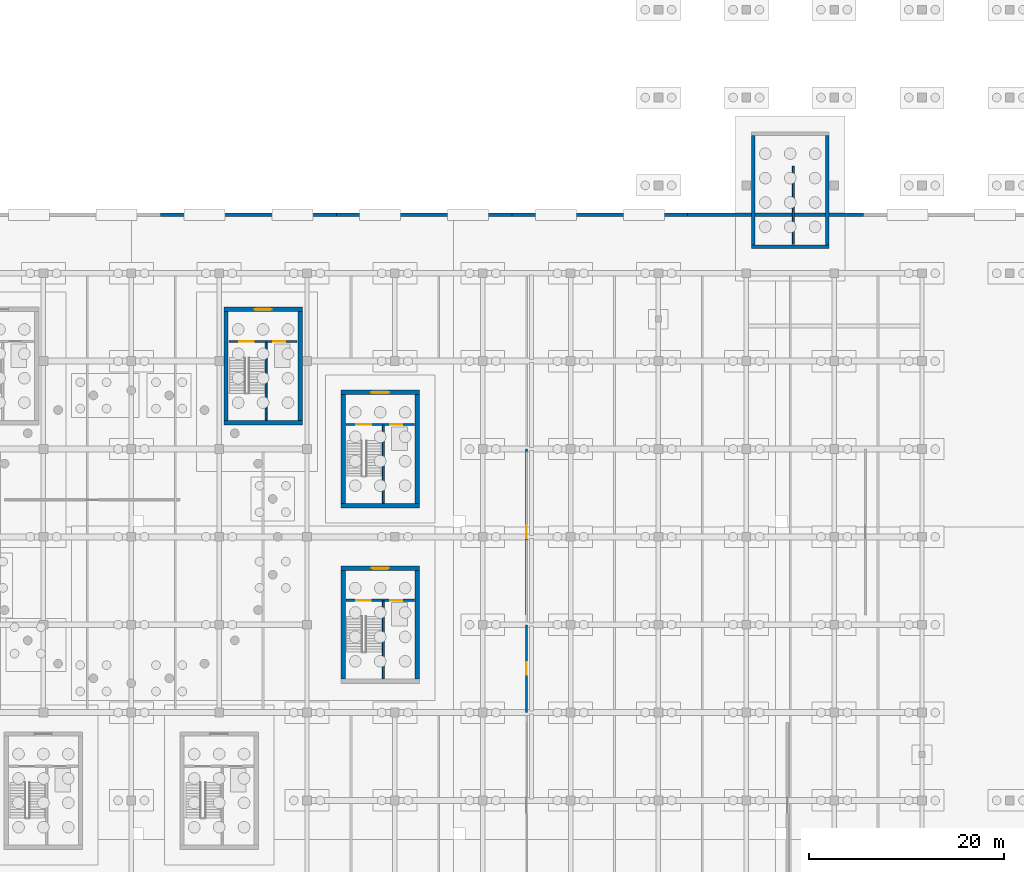
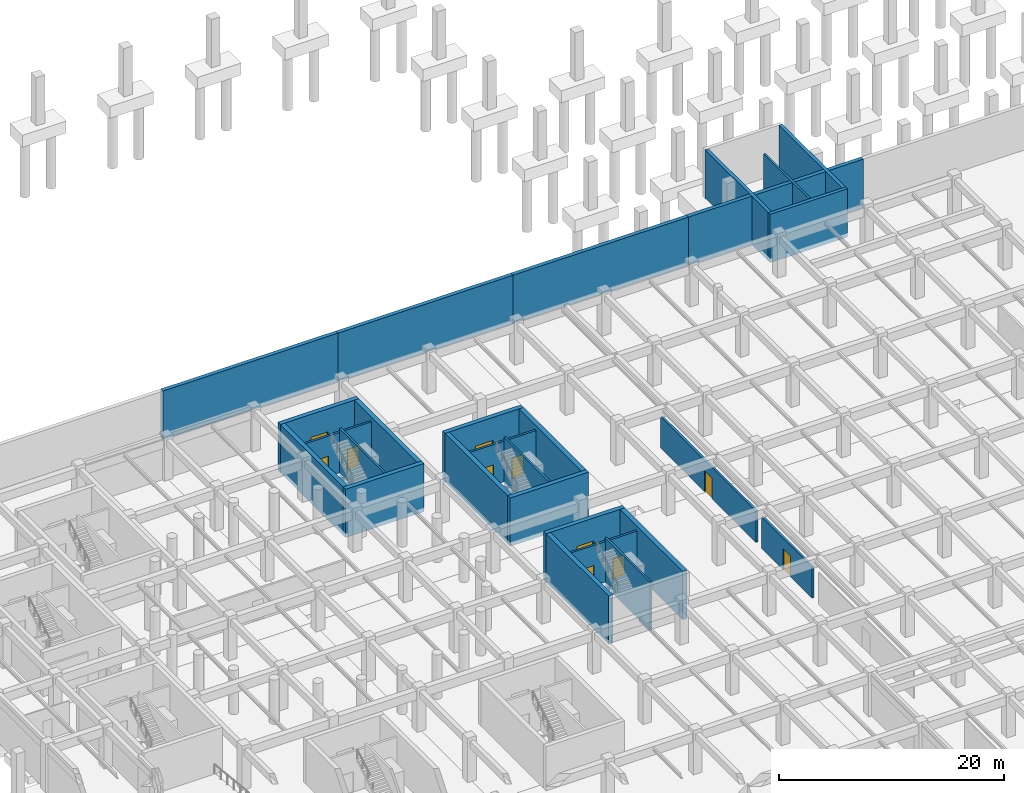
# One storey, part 20 of 27: 27 walls, 11 doors, 11 openings.
"""IFC4 building model written with IfcOpenShell, lengths in metres."""

import ifcopenshell
import ifcopenshell.guid

model = None  # the IFC model being written
_history = None  # IfcOwnerHistory: only IFC2X3 demands one
_inside = {}  # id of a spatial element -> (the spatial element, [elements in it])
_under = {}  # id of a project, library or spatial element -> (it, [spatial elements below it])
_declared = {}  # id of a project -> (the project, [libraries it declares])
_typed = {}  # id of a type object -> (the type object, [elements of that type])
_made_of = {}  # id of a material, layer set ... -> (it, [elements and type objects made of it])


def new_model(schema):
    """Start an empty IFC model of exactly this schema.

    Asked for "IFC4X3", IfcOpenShell would pick the latest addendum, in which some entities
    have other attributes; the version numbers below select the first issue.
    IFC2X3 requires an IfcOwnerHistory on every rooted entity: one is made here for all.
    """
    global model, _history
    if schema == "IFC4X3":
        model = ifcopenshell.file(schema_version=(4, 3, 0, 0))
    else:
        model = ifcopenshell.file(schema=schema)
    _inside.clear()
    _under.clear()
    _declared.clear()
    _typed.clear()
    _made_of.clear()
    _history = None
    if model.schema == "IFC2X3":
        org = make("IfcOrganization", Name="unknown")
        user = make(
            "IfcPersonAndOrganization",
            ThePerson=make("IfcPerson", FamilyName="unknown"),
            TheOrganization=org,
        )
        app = make(
            "IfcApplication",
            ApplicationDeveloper=org,
            Version="unknown",
            ApplicationFullName="unknown",
            ApplicationIdentifier="unknown",
        )
        _history = make(
            "IfcOwnerHistory",
            OwningUser=user,
            OwningApplication=app,
            ChangeAction="ADDED",
            CreationDate=0,
        )
    return model


def make(cls, **values):
    """One entity of the class cls with the attributes given. An attribute that is None is left unset."""
    return model.create_entity(
        cls, **{name: value for name, value in values.items() if value is not None}
    )


def rooted(cls, **values):
    """An entity with a GlobalId (a new one), such as an element, a storey or a relation."""
    return make(cls, GlobalId=ifcopenshell.guid.new(), OwnerHistory=_history, **values)


def si_unit(unit_type, name, prefix=None):
    """IfcSIUnit, for example si_unit("LENGTHUNIT", "METRE", prefix="MILLI")."""
    return make("IfcSIUnit", UnitType=unit_type, Prefix=prefix, Name=name)


def assignment(units):
    """IfcUnitAssignment: the units of a project."""
    return None if units is None else make("IfcUnitAssignment", Units=units)


def point(xyz):
    """IfcCartesianPoint."""
    return None if xyz is None else make("IfcCartesianPoint", Coordinates=xyz)


def direction(xyz):
    """IfcDirection."""
    return None if xyz is None else make("IfcDirection", DirectionRatios=xyz)


def frame(location, z_axis=None, x_axis=None):
    """IfcAxis2Placement3D, a coordinate frame: its origin and axes. An axis left out is left unset."""
    return make(
        "IfcAxis2Placement3D",
        Location=point(location),
        Axis=direction(z_axis),
        RefDirection=direction(x_axis),
    )


def frame_2d(location, x_axis=None):
    """IfcAxis2Placement2D, a coordinate frame in the plane: its origin and x axis."""
    return make(
        "IfcAxis2Placement2D", Location=point(location), RefDirection=direction(x_axis)
    )


def origin():
    """The frame at (0, 0, 0) with its axes left unset."""
    return frame((0.0, 0.0, 0.0))


def place(relative_to, where):
    """IfcLocalPlacement: puts the frame where relative to a parent placement (None: the world)."""
    return make(
        "IfcLocalPlacement", PlacementRelTo=relative_to, RelativePlacement=where
    )


def context(
    kind, dimensions, precision=None, world=None, true_north=None, identifier=None
):
    """IfcGeometricRepresentationContext, for example the 3D "Model" context."""
    return make(
        "IfcGeometricRepresentationContext",
        ContextIdentifier=identifier,
        ContextType=kind,
        CoordinateSpaceDimension=dimensions,
        Precision=precision,
        WorldCoordinateSystem=world,
        TrueNorth=true_north,
    )


def subcontext(parent, identifier, kind, view, scale=None):
    """IfcGeometricRepresentationSubContext, for example "Body" below "Model"."""
    return make(
        "IfcGeometricRepresentationSubContext",
        ContextIdentifier=identifier,
        ContextType=kind,
        ParentContext=parent,
        TargetScale=scale,
        TargetView=view,
    )


def project(units=None, contexts=None):
    """IfcProject with its units and contexts."""
    return rooted(
        "IfcProject",
        Name="project",
        RepresentationContexts=contexts,
        UnitsInContext=assignment(units),
    )


def spatial(cls, under=None, at=None, **own):
    """A site, building, storey or space (cls), placed at a placement, below another one or the project."""
    s = rooted(cls, ObjectPlacement=at, **own)
    if under is not None:
        _under.setdefault(under.id(), (under, []))[1].append(s)
    return s


def profile(cls, at=None, kind="AREA", **sizes):
    """A parametric profile (cls). Its sizes go by their IFC names, for example OverallWidth=200.0."""
    return make(cls, ProfileType=kind, Position=at, **sizes)


def rectangle(**sizes):
    """IfcRectangleProfileDef."""
    return profile("IfcRectangleProfileDef", **sizes)


def extrude(swept, where, along, depth):
    """IfcExtrudedAreaSolid: the profile swept, set in the frame where, extruded along a direction by depth."""
    return make(
        "IfcExtrudedAreaSolid",
        SweptArea=swept,
        Position=where,
        ExtrudedDirection=direction(along),
        Depth=depth,
    )


def shape(context_of_items, identifier, shape_type, items):
    """IfcShapeRepresentation: the items that make up one representation, for example the "Body"."""
    return make(
        "IfcShapeRepresentation",
        ContextOfItems=context_of_items,
        RepresentationIdentifier=identifier,
        RepresentationType=shape_type,
        Items=items,
    )


def material(Name=None, Category=None):
    """IfcMaterial."""
    return make("IfcMaterial", Name=Name, Category=Category)


def layer(
    of_material, thickness, ventilated=None, Name=None, Category=None, Priority=None
):
    """IfcMaterialLayer: one layer of a wall or slab, of a material (None: an air gap)."""
    return make(
        "IfcMaterialLayer",
        Material=of_material,
        LayerThickness=thickness,
        IsVentilated=ventilated,
        Name=Name,
        Category=Category,
        Priority=Priority,
    )


def layer_set(layers, Name=None):
    """IfcMaterialLayerSet."""
    return make("IfcMaterialLayerSet", MaterialLayers=layers, LayerSetName=Name)


def made_of(thing, what):
    """Note that an element or type object is made of a material, layer set ...; save() writes the relation."""
    if what is not None:
        _made_of.setdefault(what.id(), (what, []))[1].append(thing)
    return thing


def type_object(cls, material=None, **own):
    """A type object (cls), such as IfcWallType, which elements share."""
    return made_of(rooted(cls, **own), material)


def element(
    cls,
    number,
    at=None,
    inside=None,
    cuts=None,
    type_object=None,
    material=None,
    context=None,
    identifier="Body",
    shape_type=None,
    held_by="IfcProductDefinitionShape",
    body=None,
    shapes=None,
    **own,
):
    """One element of the class cls, such as IfcWall. Its Tag is "e" and its number.

    at: its placement. inside: the storey or other place that contains it. cuts: it is an
    opening in that element (IfcRelVoidsElement). A single representation is given by context,
    identifier, shape_type and body (its items); several are given by shapes. held_by: the class
    of the entity that holds the representations. save() writes the other relations.
    """
    e = rooted(cls, Tag="e%d" % number, ObjectPlacement=at, **own)
    if body is not None:
        shapes = [shape(context, identifier, shape_type, body)]
    if shapes is not None:
        e.Representation = make(held_by, Representations=shapes)
    if inside is not None:
        _inside.setdefault(inside.id(), (inside, []))[1].append(e)
    if cuts is not None:
        rooted(
            "IfcRelVoidsElement", RelatingBuildingElement=cuts, RelatedOpeningElement=e
        )
    if type_object is not None:
        _typed.setdefault(type_object.id(), (type_object, []))[1].append(e)
    return made_of(e, material)


def fill(opening, filler):
    """IfcRelFillsElement: the door or window that sits in an opening."""
    return rooted(
        "IfcRelFillsElement",
        RelatingOpeningElement=opening,
        RelatedBuildingElement=filler,
    )


def aggregate(whole, parts):
    """IfcRelAggregates: a whole, such as a stair, and the parts it consists of."""
    return rooted("IfcRelAggregates", RelatingObject=whole, RelatedObjects=parts)


def save(model, path):
    """Write the relations noted so far, then the file.

    IfcRelAggregates (storeys below a building ...), IfcRelContainedInSpatialStructure (elements
    in a storey), IfcRelDefinesByType, IfcRelAssociatesMaterial and IfcRelDeclares: one each for
    every whole, place, type object, material and project.
    """
    for whole, parts in _under.values():
        aggregate(whole, parts)
    for where, things in _inside.values():
        rooted(
            "IfcRelContainedInSpatialStructure",
            RelatedElements=things,
            RelatingStructure=where,
        )
    for kind, things in _typed.values():
        rooted("IfcRelDefinesByType", RelatedObjects=things, RelatingType=kind)
    for what, things in _made_of.values():
        rooted("IfcRelAssociatesMaterial", RelatedObjects=things, RelatingMaterial=what)
    for by, libraries in _declared.values():
        rooted("IfcRelDeclares", RelatingContext=by, RelatedDefinitions=libraries)
    model.write(path)


model = new_model("IFC4")

# Units and contexts
model_context = context("Model", 3, precision=1e-05, world=origin(), true_north=direction((0.0, 1.0)))
body_context = subcontext(model_context, "Body", "Model", "MODEL_VIEW")
ifc_project = project(units=[si_unit("LENGTHUNIT", "METRE"), si_unit("AREAUNIT", "SQUARE_METRE"), si_unit("VOLUMEUNIT", "CUBIC_METRE"), si_unit("PLANEANGLEUNIT", "RADIAN"), si_unit("MASSUNIT", "GRAM", prefix="KILO")], contexts=[model_context])

# Site, building, storey
site_placement = place(None, origin())
site = spatial("IfcSite", under=ifc_project, at=site_placement, CompositionType="ELEMENT")
building_placement = place(site_placement, origin())
building = spatial("IfcBuilding", under=site, at=building_placement, Name="Dornveld Trade and Exhibition Forum", CompositionType="ELEMENT")
storey_placement = place(building_placement, frame((0.0, 0.0, -4.800048828125)))
storey = spatial("IfcBuildingStorey", under=building, at=storey_placement, Name="B1", CompositionType="ELEMENT", Elevation=-4.800048828125)

# Walls
ifc_material_1 = material(Name="Concrete C40/50", Category="concrete")
ifc_layer_1 = layer(ifc_material_1, 0.35009765625)
ifc_layer_set_1 = layer_set([ifc_layer_1], Name="Concrete C40/50")
wall_type_1 = type_object("IfcWallType", Name="WL-CORE-350", PredefinedType="SHEAR", material=ifc_layer_set_1)
wall_1_placement = place(storey_placement, frame((180.52490234375, 110.699951171875, -0.449951171875), z_axis=(0.0, 0.0, 1.0), x_axis=(1.0, 0.0, 0.0)))
element("IfcWall", 1, at=wall_1_placement, inside=storey, type_object=wall_type_1, Name="CORE-12 B1 shear wall S", PredefinedType="SHEAR", context=body_context, shape_type="SweptSolid", body=[
    extrude(rectangle(XDim=7.9501953125, YDim=0.35009765625, at=frame_2d((3.97509765625, 0.0))), origin(), (0.0, 0.0, 1.0), 5.25),
])
for number, where, z_axis, x_axis, name in (
    (2, (180.699951171875, 110.875, -0.449951171875), (0.0, 0.0, 1.0), (0.0, 1.0, 0.0), "CORE-12 B1 shear wall W"),
    (3, (188.300048828125, 110.875, -0.449951171875), (0.0, 0.0, 1.0), (0.0, 1.0, 0.0), "CORE-12 B1 shear wall E"),
):
    element("IfcWall", number, at=place(storey_placement, frame(where, z_axis=z_axis, x_axis=x_axis)), inside=storey, type_object=wall_type_1, Name=name, PredefinedType="SHEAR", context=body_context, shape_type="SweptSolid", body=[
        extrude(rectangle(XDim=11.25, YDim=0.35009765625, at=frame_2d((5.625, 0.0))), origin(), (0.0, 0.0, 1.0), 5.25),
    ])
ifc_material_2 = material(Name="Concrete C40/50", Category="concrete")
ifc_layer_2 = layer(ifc_material_2, 0.449951171875)
ifc_layer_set_2 = layer_set([ifc_layer_2], Name="Concrete C40/50")
wall_type_2 = type_object("IfcWallType", Name="WL-CORE-450", PredefinedType="SHEAR", material=ifc_layer_set_2)
wall_2_placement = place(storey_placement, frame((138.47509765625, 84.199951171875, -0.449951171875), z_axis=(0.0, 0.0, 1.0), x_axis=(1.0, 0.0, 0.0)))
element("IfcWall", 4, at=wall_2_placement, inside=storey, type_object=wall_type_2, Name="CORE-01 B1 shear wall S", PredefinedType="SHEAR", context=body_context, shape_type="SweptSolid", body=[
    extrude(rectangle(XDim=8.0498046875, YDim=0.449951171875, at=frame_2d((4.02490234375, 0.0))), origin(), (0.0, 0.0, 1.0), 5.25),
])

# Wall, opening, door
wall_3_placement = place(storey_placement, frame((138.47509765625, 95.800048828125, -0.449951171875), z_axis=(0.0, 0.0, 1.0), x_axis=(1.0, 0.0, 0.0)))
wall_3 = element("IfcWall", 5, at=wall_3_placement, inside=storey, type_object=wall_type_2, Name="CORE-01 B1 shear wall N", PredefinedType="SHEAR", context=body_context, shape_type="SweptSolid", body=[
    extrude(rectangle(XDim=8.0498046875, YDim=0.449951171875, at=frame_2d((4.02490234375, 0.0))), origin(), (0.0, 0.0, 1.0), 5.25),
])
opening_1_placement = place(wall_3_placement, frame((3.125, 0.0, 0.449951171875)))
opening_1 = element("IfcOpeningElement", 6, at=opening_1_placement, cuts=wall_3, Name="Opening CD-01-B1", PredefinedType="OPENING", context=body_context, shape_type="SweptSolid", body=[
    extrude(rectangle(XDim=1.800048828125, YDim=2.300048828125, at=frame_2d((0.89990234375, 1.14990234375))), frame((0.0, 0.23486328125, 0.0), z_axis=(0.0, -1.0, 0.0), x_axis=(1.0, 0.0, 0.0)), (0.0, 0.0, 1.0), 0.469970703125),
])
ifc_material_3 = material(Name="Steel fire-rated double door assembly", Category="steel")
door_type_1 = type_object("IfcDoorType", Name="DR-CORE-180x230", OperationType="NOTDEFINED", PredefinedType="DOOR", material=ifc_material_3)
door_1_placement = place(opening_1_placement, origin())
door_1 = element("IfcDoor", 7, at=door_1_placement, inside=storey, type_object=door_type_1, Name="CORE-01 B1 core lobby double fire door", OperationType="DOUBLE_DOOR_SINGLE_SWING", OverallHeight=2.300048828125, OverallWidth=1.800048828125, PredefinedType="DOOR", context=body_context, shape_type="SweptSolid", body=[
    extrude(rectangle(XDim=1.800048828125, YDim=2.300048828125, at=frame_2d((0.89990234375, 1.14990234375))), frame((0.0, 0.02490234375, 0.0), z_axis=(0.0, -1.0, 0.0), x_axis=(1.0, 0.0, 0.0)), (0.0, 0.0, 1.0), 0.050048828125),
])
fill(opening_1, door_1)

# Walls
for number, where, z_axis, x_axis, name in (
    (8, (138.699951171875, 84.425048828125, -0.449951171875), (0.0, 0.0, 1.0), (0.0, 1.0, 0.0), "CORE-01 B1 shear wall W"),
    (9, (146.300048828125, 84.425048828125, -0.449951171875), (0.0, 0.0, 1.0), (0.0, 1.0, 0.0), "CORE-01 B1 shear wall E"),
):
    element("IfcWall", number, at=place(storey_placement, frame(where, z_axis=z_axis, x_axis=x_axis)), inside=storey, type_object=wall_type_2, Name=name, PredefinedType="SHEAR", context=body_context, shape_type="SweptSolid", body=[
        extrude(rectangle(XDim=11.14990234375, YDim=0.449951171875, at=frame_2d((5.574951171875, 0.0))), origin(), (0.0, 0.0, 1.0), 5.25),
    ])
wall_4_placement = place(storey_placement, frame((126.47509765625, 92.699951171875, -0.449951171875), z_axis=(0.0, 0.0, 1.0), x_axis=(1.0, 0.0, 0.0)))
element("IfcWall", 10, at=wall_4_placement, inside=storey, type_object=wall_type_2, Name="CORE-02 B1 shear wall S", PredefinedType="SHEAR", context=body_context, shape_type="SweptSolid", body=[
    extrude(rectangle(XDim=8.0498046875, YDim=0.449951171875, at=frame_2d((4.02490234375, 0.0))), origin(), (0.0, 0.0, 1.0), 5.25),
])

# Wall, opening, door
wall_5_placement = place(storey_placement, frame((126.47509765625, 104.300048828125, -0.449951171875), z_axis=(0.0, 0.0, 1.0), x_axis=(1.0, 0.0, 0.0)))
wall_5 = element("IfcWall", 11, at=wall_5_placement, inside=storey, type_object=wall_type_2, Name="CORE-02 B1 shear wall N", PredefinedType="SHEAR", context=body_context, shape_type="SweptSolid", body=[
    extrude(rectangle(XDim=8.0498046875, YDim=0.449951171875, at=frame_2d((4.02490234375, 0.0))), origin(), (0.0, 0.0, 1.0), 5.25),
])
opening_2_placement = place(wall_5_placement, frame((3.14990234375, 0.0, 0.449951171875)))
opening_2 = element("IfcOpeningElement", 12, at=opening_2_placement, cuts=wall_5, Name="Opening CD-02-B1", PredefinedType="OPENING", context=body_context, shape_type="SweptSolid", body=[
    extrude(rectangle(XDim=1.75, YDim=2.300048828125, at=frame_2d((0.875, 1.14990234375))), frame((0.0, 0.23486328125, 0.0), z_axis=(0.0, -1.0, 0.0), x_axis=(1.0, 0.0, 0.0)), (0.0, 0.0, 1.0), 0.469970703125),
])
ifc_material_4 = material(Name="Steel fire-rated double door assembly", Category="steel")
door_type_2 = type_object("IfcDoorType", Name="DR-CORE-175x230", OperationType="NOTDEFINED", PredefinedType="DOOR", material=ifc_material_4)
door_2_placement = place(opening_2_placement, origin())
door_2 = element("IfcDoor", 13, at=door_2_placement, inside=storey, type_object=door_type_2, Name="CORE-02 B1 core lobby double fire door", OperationType="DOUBLE_DOOR_SINGLE_SWING", OverallHeight=2.300048828125, OverallWidth=1.75, PredefinedType="DOOR", context=body_context, shape_type="SweptSolid", body=[
    extrude(rectangle(XDim=1.75, YDim=2.300048828125, at=frame_2d((0.875, 1.14990234375))), frame((0.0, 0.02490234375, 0.0), z_axis=(0.0, -1.0, 0.0), x_axis=(1.0, 0.0, 0.0)), (0.0, 0.0, 1.0), 0.050048828125),
])
fill(opening_2, door_2)

# Walls
for number, where, z_axis, x_axis, name in (
    (14, (126.699951171875, 92.925048828125, -0.449951171875), (0.0, 0.0, 1.0), (0.0, 1.0, 0.0), "CORE-02 B1 shear wall W"),
    (15, (134.300048828125, 92.925048828125, -0.449951171875), (0.0, 0.0, 1.0), (0.0, 1.0, 0.0), "CORE-02 B1 shear wall E"),
):
    element("IfcWall", number, at=place(storey_placement, frame(where, z_axis=z_axis, x_axis=x_axis)), inside=storey, type_object=wall_type_2, Name=name, PredefinedType="SHEAR", context=body_context, shape_type="SweptSolid", body=[
        extrude(rectangle(XDim=11.14990234375, YDim=0.449951171875, at=frame_2d((5.574951171875, 0.0))), origin(), (0.0, 0.0, 1.0), 5.25),
    ])

# Wall, opening, door
wall_6_placement = place(storey_placement, frame((138.47509765625, 77.800048828125, -0.449951171875), z_axis=(0.0, 0.0, 1.0), x_axis=(1.0, 0.0, 0.0)))
wall_6 = element("IfcWall", 16, at=wall_6_placement, inside=storey, type_object=wall_type_2, Name="CORE-08 B1 shear wall N", PredefinedType="SHEAR", context=body_context, shape_type="SweptSolid", body=[
    extrude(rectangle(XDim=8.0498046875, YDim=0.449951171875, at=frame_2d((4.02490234375, 0.0))), origin(), (0.0, 0.0, 1.0), 5.25),
])
opening_3_placement = place(wall_6_placement, frame((3.14990234375, 0.0, 0.449951171875)))
opening_3 = element("IfcOpeningElement", 17, at=opening_3_placement, cuts=wall_6, Name="Opening CD-08-B1", PredefinedType="OPENING", context=body_context, shape_type="SweptSolid", body=[
    extrude(rectangle(XDim=1.75, YDim=2.300048828125, at=frame_2d((0.875, 1.14990234375))), frame((0.0, 0.23486328125, 0.0), z_axis=(0.0, -1.0, 0.0), x_axis=(1.0, 0.0, 0.0)), (0.0, 0.0, 1.0), 0.469970703125),
])
door_3_placement = place(opening_3_placement, origin())
door_3 = element("IfcDoor", 18, at=door_3_placement, inside=storey, type_object=door_type_2, Name="CORE-08 B1 core lobby double fire door", OperationType="DOUBLE_DOOR_SINGLE_SWING", OverallHeight=2.300048828125, OverallWidth=1.75, PredefinedType="DOOR", context=body_context, shape_type="SweptSolid", body=[
    extrude(rectangle(XDim=1.75, YDim=2.300048828125, at=frame_2d((0.875, 1.14990234375))), frame((0.0, 0.02490234375, 0.0), z_axis=(0.0, -1.0, 0.0), x_axis=(1.0, 0.0, 0.0)), (0.0, 0.0, 1.0), 0.050048828125),
])
fill(opening_3, door_3)

# Walls
for number, where, z_axis, x_axis, name in (
    (19, (138.699951171875, 66.425048828125, -0.449951171875), (0.0, 0.0, 1.0), (0.0, 1.0, 0.0), "CORE-08 B1 shear wall W"),
    (20, (146.300048828125, 66.425048828125, -0.449951171875), (0.0, 0.0, 1.0), (0.0, 1.0, 0.0), "CORE-08 B1 shear wall E"),
):
    element("IfcWall", number, at=place(storey_placement, frame(where, z_axis=z_axis, x_axis=x_axis)), inside=storey, type_object=wall_type_2, Name=name, PredefinedType="SHEAR", context=body_context, shape_type="SweptSolid", body=[
        extrude(rectangle(XDim=11.14990234375, YDim=0.449951171875, at=frame_2d((5.574951171875, 0.0))), origin(), (0.0, 0.0, 1.0), 5.25),
    ])

# Wall, opening, door
ifc_material_5 = material(Name="Acoustic twin-stud gypsum and mineral wool", Category="gypsum")
ifc_layer_3 = layer(ifc_material_5, 0.215087890625)
ifc_layer_set_3 = layer_set([ifc_layer_3], Name="Acoustic twin-stud gypsum and mineral wool")
wall_type_3 = type_object("IfcWallType", Name="WL-INT-AC215", PredefinedType="PARTITIONING", material=ifc_layer_set_3)
wall_7_placement = place(storey_placement, frame((157.5, 73.02001953125, 0.0), z_axis=(0.0, 0.0, 1.0), x_axis=(0.0, 1.0, 0.0)))
wall_7 = element("IfcWall", 21, at=wall_7_placement, inside=storey, type_object=wall_type_3, Name="B1 interior partition 13", PredefinedType="PARTITIONING", context=body_context, shape_type="SweptSolid", body=[
    extrude(rectangle(XDim=16.9599609375, YDim=0.215087890625, at=frame_2d((8.47998046875, 0.0))), origin(), (0.0, 0.0, 1.0), 3.420166015625),
])
opening_4_placement = place(wall_7_placement, frame((7.830078125, 0.0, 0.0)))
opening_4 = element("IfcOpeningElement", 22, at=opening_4_placement, cuts=wall_7, Name="Opening PD-03-003", PredefinedType="OPENING", context=body_context, shape_type="SweptSolid", body=[
    extrude(rectangle(XDim=1.300048828125, YDim=2.25, at=frame_2d((0.64990234375, 1.125))), frame((0.0, 0.117431640625, 0.0), z_axis=(0.0, -1.0, 0.0), x_axis=(1.0, 0.0, 0.0)), (0.0, 0.0, 1.0), 0.235107421875),
])
ifc_material_6 = material(Name="Galvanised steel store fire door", Category="steel")
door_type_3 = type_object("IfcDoorType", Name="DR-PLT-130x225", OperationType="NOTDEFINED", PredefinedType="DOOR", material=ifc_material_6)
door_4_placement = place(opening_4_placement, origin())
door_4 = element("IfcDoor", 23, at=door_4_placement, inside=storey, type_object=door_type_3, Name="B1 interior room door 3", OperationType="SINGLE_SWING_LEFT", OverallHeight=2.25, OverallWidth=1.300048828125, PredefinedType="DOOR", context=body_context, shape_type="SweptSolid", body=[
    extrude(rectangle(XDim=1.300048828125, YDim=2.25, at=frame_2d((0.64990234375, 1.125))), frame((0.0, 0.02490234375, 0.0), z_axis=(0.0, -1.0, 0.0), x_axis=(1.0, 0.0, 0.0)), (0.0, 0.0, 1.0), 0.050048828125),
])
fill(opening_4, door_4)

wall_8_placement = place(storey_placement, frame((157.5, 63.02001953125, 0.0), z_axis=(0.0, 0.0, 1.0), x_axis=(0.0, 1.0, 0.0)))
wall_8 = element("IfcWall", 24, at=wall_8_placement, inside=storey, type_object=wall_type_3, Name="B1 interior partition 88", PredefinedType="PARTITIONING", context=body_context, shape_type="SweptSolid", body=[
    extrude(rectangle(XDim=8.9599609375, YDim=0.215087890625, at=frame_2d((4.47998046875, 0.0))), origin(), (0.0, 0.0, 1.0), 3.420166015625),
])
opening_5_placement = place(wall_8_placement, frame((3.830078125, 0.0, 0.0)))
opening_5 = element("IfcOpeningElement", 25, at=opening_5_placement, cuts=wall_8, Name="Opening PD-03-057", PredefinedType="OPENING", context=body_context, shape_type="SweptSolid", body=[
    extrude(rectangle(XDim=1.300048828125, YDim=2.25, at=frame_2d((0.64990234375, 1.125))), frame((0.0, 0.117431640625, 0.0), z_axis=(0.0, -1.0, 0.0), x_axis=(1.0, 0.0, 0.0)), (0.0, 0.0, 1.0), 0.235107421875),
])
door_5_placement = place(opening_5_placement, origin())
door_5 = element("IfcDoor", 26, at=door_5_placement, inside=storey, type_object=door_type_3, Name="B1 interior room door 57", OperationType="SINGLE_SWING_LEFT", OverallHeight=2.25, OverallWidth=1.300048828125, PredefinedType="DOOR", context=body_context, shape_type="SweptSolid", body=[
    extrude(rectangle(XDim=1.300048828125, YDim=2.25, at=frame_2d((0.64990234375, 1.125))), frame((0.0, 0.02490234375, 0.0), z_axis=(0.0, -1.0, 0.0), x_axis=(1.0, 0.0, 0.0)), (0.0, 0.0, 1.0), 0.050048828125),
])
fill(opening_5, door_5)

# Wall, openings, doors
ifc_material_7 = material(Name="Concrete C40/50", Category="concrete")
ifc_layer_4 = layer(ifc_material_7, 0.219970703125)
ifc_layer_set_4 = layer_set([ifc_layer_4], Name="Concrete C40/50")
wall_type_4 = type_object("IfcWallType", Name="WL-INT-LOB220", PredefinedType="SOLIDWALL", material=ifc_layer_set_4)
wall_9_placement = place(storey_placement, frame((139.0, 92.5, 0.0), z_axis=(0.0, 0.0, 1.0), x_axis=(1.0, 0.0, 0.0)))
wall_9 = element("IfcWall", 27, at=wall_9_placement, inside=storey, type_object=wall_type_4, Name="CORE-01 B1 protected lobby bulkhead wall", PredefinedType="SOLIDWALL", context=body_context, shape_type="SweptSolid", body=[
    extrude(rectangle(XDim=7.0, YDim=0.219970703125, at=frame_2d((3.5, 0.0))), origin(), (0.0, 0.0, 1.0), 4.400146484375),
])
opening_6_placement = place(wall_9_placement, frame((1.050048828125, 0.0, 0.0)))
opening_6 = element("IfcOpeningElement", 28, at=opening_6_placement, cuts=wall_9, Name="Opening SD-01-B1", PredefinedType="OPENING", context=body_context, shape_type="SweptSolid", body=[
    extrude(rectangle(XDim=1.550048828125, YDim=2.199951171875, at=frame_2d((0.77490234375, 1.10009765625))), frame((0.0, 0.119873046875, 0.0), z_axis=(0.0, -1.0, 0.0), x_axis=(1.0, 0.0, 0.0)), (0.0, 0.0, 1.0), 0.239990234375),
])
opening_7_placement = place(wall_9_placement, frame((4.550048828125, 0.0, 0.0)))
opening_7 = element("IfcOpeningElement", 29, at=opening_7_placement, cuts=wall_9, Name="Opening LD-01-B1", PredefinedType="OPENING", context=body_context, shape_type="SweptSolid", body=[
    extrude(rectangle(XDim=1.199951171875, YDim=2.199951171875, at=frame_2d((0.60009765625, 1.10009765625))), frame((0.0, 0.119873046875, 0.0), z_axis=(0.0, -1.0, 0.0), x_axis=(1.0, 0.0, 0.0)), (0.0, 0.0, 1.0), 0.239990234375),
])
ifc_material_8 = material(Name="Brushed stainless steel sliding lift landing door", Category="steel")
door_type_4 = type_object("IfcDoorType", Name="DR-LIFT-120x220", OperationType="NOTDEFINED", PredefinedType="DOOR", material=ifc_material_8)
door_6_placement = place(opening_7_placement, origin())
door_6 = element("IfcDoor", 30, at=door_6_placement, inside=storey, type_object=door_type_4, Name="CORE-01 B1 lift sliding landing door", OperationType="SLIDING_TO_LEFT", OverallHeight=2.199951171875, OverallWidth=1.199951171875, PredefinedType="DOOR", context=body_context, shape_type="SweptSolid", body=[
    extrude(rectangle(XDim=1.199951171875, YDim=2.199951171875, at=frame_2d((0.60009765625, 1.10009765625))), frame((0.0, 0.02490234375, 0.0), z_axis=(0.0, -1.0, 0.0), x_axis=(1.0, 0.0, 0.0)), (0.0, 0.0, 1.0), 0.050048828125),
])
fill(opening_7, door_6)
ifc_material_9 = material(Name="Steel fire-rated stair door assembly", Category="steel")
door_type_5 = type_object("IfcDoorType", Name="DR-STAIR-155x220", OperationType="NOTDEFINED", PredefinedType="DOOR", material=ifc_material_9)
door_7_placement = place(opening_6_placement, origin())
door_7 = element("IfcDoor", 31, at=door_7_placement, inside=storey, type_object=door_type_5, Name="CORE-01 B1 protected stair door", OperationType="SINGLE_SWING_LEFT", OverallHeight=2.199951171875, OverallWidth=1.550048828125, PredefinedType="DOOR", context=body_context, shape_type="SweptSolid", body=[
    extrude(rectangle(XDim=1.550048828125, YDim=2.199951171875, at=frame_2d((0.77490234375, 1.10009765625))), frame((0.0, 0.02490234375, 0.0), z_axis=(0.0, -1.0, 0.0), x_axis=(1.0, 0.0, 0.0)), (0.0, 0.0, 1.0), 0.050048828125),
])
fill(opening_6, door_7)

wall_10_placement = place(storey_placement, frame((127.0, 101.0, 0.0), z_axis=(0.0, 0.0, 1.0), x_axis=(1.0, 0.0, 0.0)))
wall_10 = element("IfcWall", 32, at=wall_10_placement, inside=storey, type_object=wall_type_4, Name="CORE-02 B1 protected lobby bulkhead wall", PredefinedType="SOLIDWALL", context=body_context, shape_type="SweptSolid", body=[
    extrude(rectangle(XDim=7.0, YDim=0.219970703125, at=frame_2d((3.5, 0.0))), origin(), (0.0, 0.0, 1.0), 4.400146484375),
])
opening_8_placement = place(wall_10_placement, frame((1.050048828125, 0.0, 0.0)))
opening_8 = element("IfcOpeningElement", 33, at=opening_8_placement, cuts=wall_10, Name="Opening SD-02-B1", PredefinedType="OPENING", context=body_context, shape_type="SweptSolid", body=[
    extrude(rectangle(XDim=1.5, YDim=2.199951171875, at=frame_2d((0.75, 1.10009765625))), frame((0.0, 0.119873046875, 0.0), z_axis=(0.0, -1.0, 0.0), x_axis=(1.0, 0.0, 0.0)), (0.0, 0.0, 1.0), 0.239990234375),
])
opening_9_placement = place(wall_10_placement, frame((4.550048828125, 0.0, 0.0)))
opening_9 = element("IfcOpeningElement", 34, at=opening_9_placement, cuts=wall_10, Name="Opening LD-02-B1", PredefinedType="OPENING", context=body_context, shape_type="SweptSolid", body=[
    extrude(rectangle(XDim=1.199951171875, YDim=2.199951171875, at=frame_2d((0.60009765625, 1.10009765625))), frame((0.0, 0.119873046875, 0.0), z_axis=(0.0, -1.0, 0.0), x_axis=(1.0, 0.0, 0.0)), (0.0, 0.0, 1.0), 0.239990234375),
])
door_8_placement = place(opening_9_placement, origin())
door_8 = element("IfcDoor", 35, at=door_8_placement, inside=storey, type_object=door_type_4, Name="CORE-02 B1 lift sliding landing door", OperationType="SLIDING_TO_RIGHT", OverallHeight=2.199951171875, OverallWidth=1.199951171875, PredefinedType="DOOR", context=body_context, shape_type="SweptSolid", body=[
    extrude(rectangle(XDim=1.199951171875, YDim=2.199951171875, at=frame_2d((0.60009765625, 1.10009765625))), frame((0.0, 0.02490234375, 0.0), z_axis=(0.0, -1.0, 0.0), x_axis=(1.0, 0.0, 0.0)), (0.0, 0.0, 1.0), 0.050048828125),
])
fill(opening_9, door_8)
ifc_material_10 = material(Name="Steel fire-rated stair door assembly", Category="steel")
door_type_6 = type_object("IfcDoorType", Name="DR-STAIR-150x220", OperationType="NOTDEFINED", PredefinedType="DOOR", material=ifc_material_10)
door_9_placement = place(opening_8_placement, origin())
door_9 = element("IfcDoor", 36, at=door_9_placement, inside=storey, type_object=door_type_6, Name="CORE-02 B1 protected stair door", OperationType="SINGLE_SWING_RIGHT", OverallHeight=2.199951171875, OverallWidth=1.5, PredefinedType="DOOR", context=body_context, shape_type="SweptSolid", body=[
    extrude(rectangle(XDim=1.5, YDim=2.199951171875, at=frame_2d((0.75, 1.10009765625))), frame((0.0, 0.02490234375, 0.0), z_axis=(0.0, -1.0, 0.0), x_axis=(1.0, 0.0, 0.0)), (0.0, 0.0, 1.0), 0.050048828125),
])
fill(opening_8, door_9)

wall_11_placement = place(storey_placement, frame((139.0, 74.5, 0.0), z_axis=(0.0, 0.0, 1.0), x_axis=(1.0, 0.0, 0.0)))
wall_11 = element("IfcWall", 37, at=wall_11_placement, inside=storey, type_object=wall_type_4, Name="CORE-08 B1 protected lobby bulkhead wall", PredefinedType="SOLIDWALL", context=body_context, shape_type="SweptSolid", body=[
    extrude(rectangle(XDim=7.0, YDim=0.219970703125, at=frame_2d((3.5, 0.0))), origin(), (0.0, 0.0, 1.0), 4.400146484375),
])
opening_10_placement = place(wall_11_placement, frame((1.050048828125, 0.0, 0.0)))
opening_10 = element("IfcOpeningElement", 38, at=opening_10_placement, cuts=wall_11, Name="Opening SD-08-B1", PredefinedType="OPENING", context=body_context, shape_type="SweptSolid", body=[
    extrude(rectangle(XDim=1.5, YDim=2.199951171875, at=frame_2d((0.75, 1.10009765625))), frame((0.0, 0.119873046875, 0.0), z_axis=(0.0, -1.0, 0.0), x_axis=(1.0, 0.0, 0.0)), (0.0, 0.0, 1.0), 0.239990234375),
])
opening_11_placement = place(wall_11_placement, frame((4.550048828125, 0.0, 0.0)))
opening_11 = element("IfcOpeningElement", 39, at=opening_11_placement, cuts=wall_11, Name="Opening LD-08-B1", PredefinedType="OPENING", context=body_context, shape_type="SweptSolid", body=[
    extrude(rectangle(XDim=1.199951171875, YDim=2.199951171875, at=frame_2d((0.60009765625, 1.10009765625))), frame((0.0, 0.119873046875, 0.0), z_axis=(0.0, -1.0, 0.0), x_axis=(1.0, 0.0, 0.0)), (0.0, 0.0, 1.0), 0.239990234375),
])
door_10_placement = place(opening_11_placement, origin())
door_10 = element("IfcDoor", 40, at=door_10_placement, inside=storey, type_object=door_type_4, Name="CORE-08 B1 lift sliding landing door", OperationType="SLIDING_TO_RIGHT", OverallHeight=2.199951171875, OverallWidth=1.199951171875, PredefinedType="DOOR", context=body_context, shape_type="SweptSolid", body=[
    extrude(rectangle(XDim=1.199951171875, YDim=2.199951171875, at=frame_2d((0.60009765625, 1.10009765625))), frame((0.0, 0.02490234375, 0.0), z_axis=(0.0, -1.0, 0.0), x_axis=(1.0, 0.0, 0.0)), (0.0, 0.0, 1.0), 0.050048828125),
])
fill(opening_11, door_10)
door_11_placement = place(opening_10_placement, origin())
door_11 = element("IfcDoor", 41, at=door_11_placement, inside=storey, type_object=door_type_6, Name="CORE-08 B1 protected stair door", OperationType="SINGLE_SWING_RIGHT", OverallHeight=2.199951171875, OverallWidth=1.5, PredefinedType="DOOR", context=body_context, shape_type="SweptSolid", body=[
    extrude(rectangle(XDim=1.5, YDim=2.199951171875, at=frame_2d((0.75, 1.10009765625))), frame((0.0, 0.02490234375, 0.0), z_axis=(0.0, -1.0, 0.0), x_axis=(1.0, 0.0, 0.0)), (0.0, 0.0, 1.0), 0.050048828125),
])
fill(opening_10, door_11)

# Walls
ifc_material_11 = material(Name="Concrete C40/50", Category="concrete")
ifc_layer_5 = layer(ifc_material_11, 0.199951171875)
ifc_layer_set_5 = layer_set([ifc_layer_5], Name="Concrete C40/50")
wall_type_5 = type_object("IfcWallType", Name="WL-INT-SHAFT200", PredefinedType="SOLIDWALL", material=ifc_layer_set_5)
for number, where, z_axis, x_axis, name in (
    (42, (142.820068359375, 84.449951171875, -0.449951171875), (0.0, 0.0, 1.0), (0.0, 1.0, 0.0), "CORE-01 B1 lift-stair structural shaft wall"),
    (43, (130.820068359375, 92.949951171875, -0.449951171875), (0.0, 0.0, 1.0), (0.0, 1.0, 0.0), "CORE-02 B1 lift-stair structural shaft wall"),
    (44, (142.820068359375, 66.449951171875, -0.449951171875), (0.0, 0.0, 1.0), (0.0, 1.0, 0.0), "CORE-08 B1 lift-stair structural shaft wall"),
    (45, (184.820068359375, 110.949951171875, -0.449951171875), (0.0, 0.0, 1.0), (0.0, 1.0, 0.0), "CORE-12 B1 lift-stair structural shaft wall"),
):
    element("IfcWall", number, at=place(storey_placement, frame(where, z_axis=z_axis, x_axis=x_axis)), inside=storey, type_object=wall_type_5, Name=name, PredefinedType="SOLIDWALL", context=body_context, shape_type="SweptSolid", body=[
        extrude(rectangle(XDim=8.0, YDim=0.199951171875, at=frame_2d((4.0, 0.0))), origin(), (0.0, 0.0, 1.0), 5.25),
    ])
ifc_material_12 = material(Name="Concrete C40/50", Category="concrete")
ifc_layer_6 = layer(ifc_material_12, 0.39990234375)
ifc_layer_set_6 = layer_set([ifc_layer_6], Name="Concrete C40/50")
wall_type_6 = type_object("IfcWallType", Name="WL-RET-400", PredefinedType="USERDEFINED", material=ifc_layer_set_6)
for number, where, z_axis, x_axis, name in (
    (46, (120.0, 114.0, -0.449951171875), (0.0, 0.0, 1.0), (1.0, 0.0, 0.0), "B1 retaining wall N bay 3"),
    (47, (138.0, 114.0, -0.449951171875), (0.0, 0.0, 1.0), (1.0, 0.0, 0.0), "B1 retaining wall N bay 4"),
    (48, (156.0, 114.0, -0.449951171875), (0.0, 0.0, 1.0), (1.0, 0.0, 0.0), "B1 retaining wall N bay 5"),
    (49, (174.0, 114.0, -0.449951171875), (0.0, 0.0, 1.0), (1.0, 0.0, 0.0), "B1 retaining wall N bay 6"),
):
    element("IfcWall", number, at=place(storey_placement, frame(where, z_axis=z_axis, x_axis=x_axis)), inside=storey, type_object=wall_type_6, Name=name, ObjectType="RETAINING_WALL", PredefinedType="USERDEFINED", context=body_context, shape_type="SweptSolid", body=[
        extrude(rectangle(XDim=18.0, YDim=0.39990234375, at=frame_2d((9.0, 0.0))), origin(), (0.0, 0.0, 1.0), 5.25),
    ])

save(model, "model.ifc")
